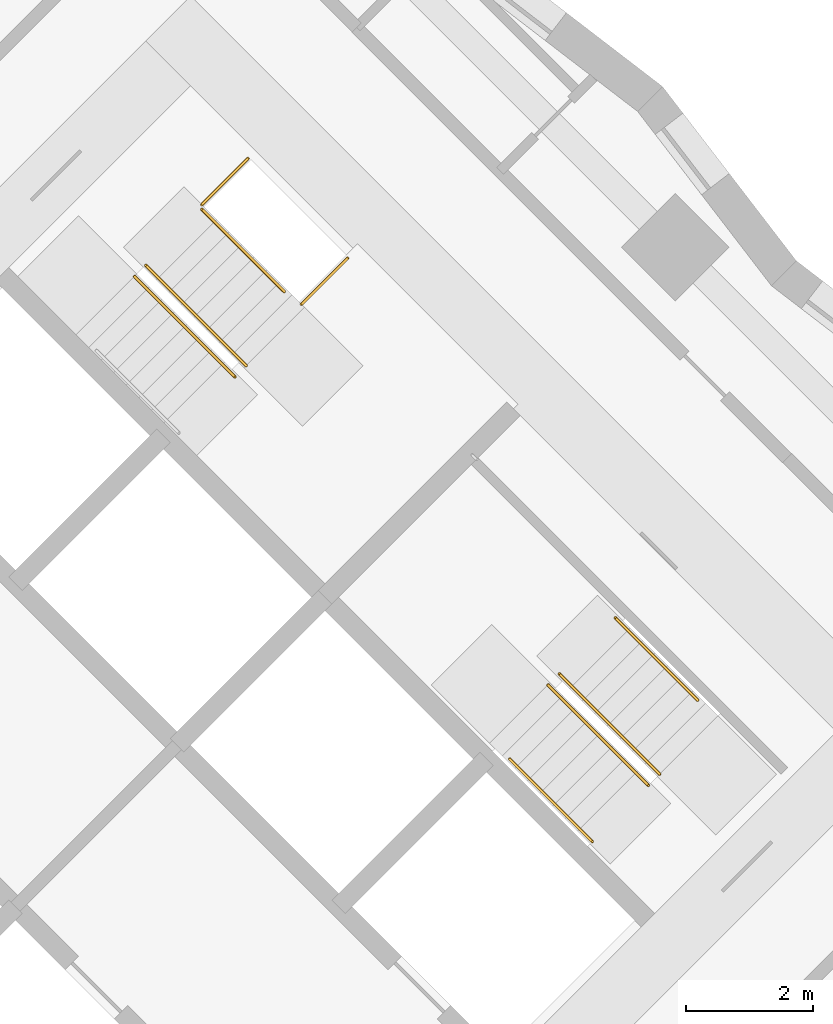
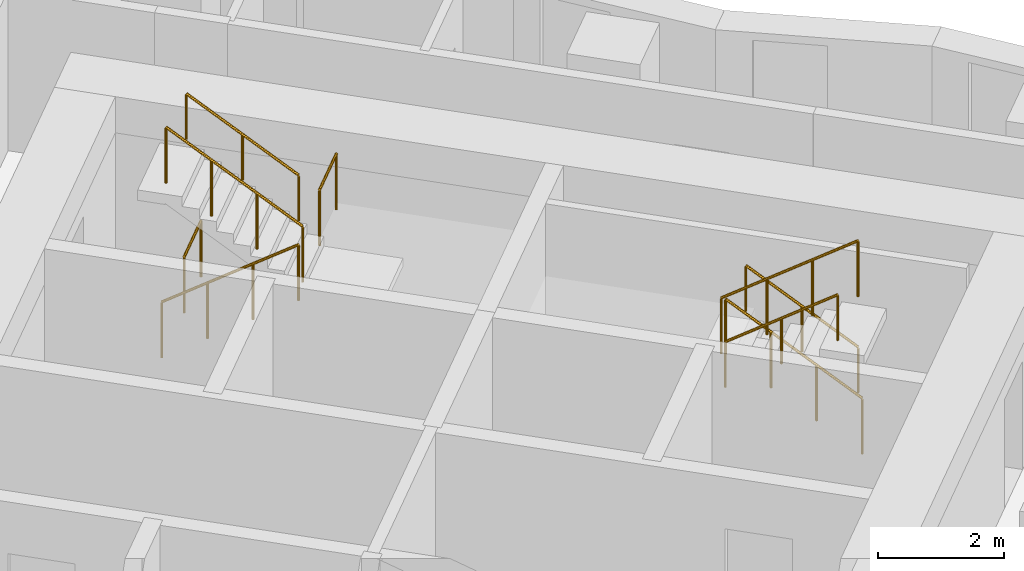
# One storey, part 14 of 14: 9 railings.
"""IFC4 building model written with IfcOpenShell, lengths in metres."""

from ifc_helpers import new_model, si_unit, direction, frame, origin, origin_2d, place, context, subcontext, project, spatial, circle, extrude, material, type_object, element, save


model = new_model("IFC4")

# Units and contexts
model_context = context("Model", 3, precision=1e-05, world=origin(), true_north=direction((0.0, 1.0)))
body_context = subcontext(model_context, "Body", "Model", "MODEL_VIEW")
ifc_project = project(units=[si_unit("LENGTHUNIT", "METRE"), si_unit("AREAUNIT", "SQUARE_METRE"), si_unit("VOLUMEUNIT", "CUBIC_METRE"), si_unit("PLANEANGLEUNIT", "RADIAN"), si_unit("MASSUNIT", "GRAM", prefix="KILO")], contexts=[model_context])

# Site, building, storey
site_placement = place(None, origin())
site = spatial("IfcSite", under=ifc_project, at=site_placement, CompositionType="ELEMENT")
building_placement = place(site_placement, origin())
building = spatial("IfcBuilding", under=site, at=building_placement, Name="Windrow Commons", CompositionType="ELEMENT")
storey_placement = place(building_placement, frame((0.0, 0.0, 44.0)))
storey = spatial("IfcBuildingStorey", under=building, at=storey_placement, Name="L11", CompositionType="ELEMENT", Elevation=44.0)

# Railings
ifc_material_1 = material(Name="Steel S355", Category="steel")
railing_type_1 = type_object("IfcRailingType", Name="Core stair guard 1100", PredefinedType="GUARDRAIL", material=ifc_material_1)
railing_1_placement = place(storey_placement, frame((85.9529, 56.2669, 0.1889)))
element("IfcRailing", 1, at=railing_1_placement, inside=storey, type_object=railing_type_1, Name="L11 ST-B1 stair guard 1", PredefinedType="GUARDRAIL", context=body_context, shape_type="SweptSolid", body=[
    extrude(circle(Radius=0.024, at=origin_2d()), frame((0.0, 0.0, 1.076), z_axis=(0.5861914914, -0.5861914914, 0.5592486664), x_axis=(0.7071067812, 0.7071067812, 0.0)), (0.0, 0.0, 1.0), 2.702),
    extrude(circle(Radius=0.021, at=origin_2d()), origin(), (0.0, 0.0, 1.0), 1.052),
    extrude(circle(Radius=0.021, at=origin_2d()), frame((0.528, -0.528, 0.5037)), (0.0, 0.0, 1.0), 1.052),
    extrude(circle(Radius=0.021, at=origin_2d()), frame((1.0559, -1.0559, 1.0074)), (0.0, 0.0, 1.0), 1.052),
    extrude(circle(Radius=0.021, at=origin_2d()), frame((1.5839, -1.5839, 1.5111)), (0.0, 0.0, 1.0), 1.052),
])
railing_2_placement = place(storey_placement, frame((87.7136, 54.8597, 1.8889)))
element("IfcRailing", 2, at=railing_2_placement, inside=storey, type_object=railing_type_1, Name="L11 ST-B1 stair guard 2", PredefinedType="GUARDRAIL", context=body_context, shape_type="SweptSolid", body=[
    extrude(circle(Radius=0.024, at=origin_2d()), frame((0.0, 0.0, 1.076), z_axis=(-0.5862030657, 0.5862030657, 0.5592244018), x_axis=(-0.7071067812, -0.7071067812, 0.0)), (0.0, 0.0, 1.0), 2.7021),
    extrude(circle(Radius=0.021, at=origin_2d()), origin(), (0.0, 0.0, 1.0), 1.052),
    extrude(circle(Radius=0.021, at=origin_2d()), frame((-0.528, 0.528, 0.5037)), (0.0, 0.0, 1.0), 1.052),
    extrude(circle(Radius=0.021, at=origin_2d()), frame((-1.056, 1.056, 1.0074)), (0.0, 0.0, 1.0), 1.052),
    extrude(circle(Radius=0.021, at=origin_2d()), frame((-1.584, 1.584, 1.5111)), (0.0, 0.0, 1.0), 1.052),
])
railing_3_placement = place(storey_placement, frame((87.0135, 57.3982, 0.0)))
element("IfcRailing", 3, at=railing_3_placement, inside=storey, type_object=railing_type_1, Name="L11 ST-B1 stair guard 3", PredefinedType="GUARDRAIL", context=body_context, shape_type="SweptSolid", body=[
    extrude(circle(Radius=0.024, at=origin_2d()), frame((0.0, 0.0, 1.076), z_axis=(0.7070582378, 0.7071553212, 0.0), x_axis=(-0.7071553212, 0.7070582378, 0.0)), (0.0, 0.0, 1.0), 1.03),
    extrude(circle(Radius=0.021, at=origin_2d()), origin(), (0.0, 0.0, 1.0), 1.052),
    extrude(circle(Radius=0.021, at=origin_2d()), frame((0.7283, 0.7284, 0.0)), (0.0, 0.0, 1.0), 1.052),
])
railing_4_placement = place(storey_placement, frame((88.5833, 55.8285, 1.7)))
element("IfcRailing", 4, at=railing_4_placement, inside=storey, type_object=railing_type_1, Name="L11 ST-B1 stair guard 4", PredefinedType="GUARDRAIL", context=body_context, shape_type="SweptSolid", body=[
    extrude(circle(Radius=0.024, at=origin_2d()), frame((0.0, 0.0, 1.076), z_axis=(0.7071067812, 0.7071067812, 0.0), x_axis=(-0.7071067812, 0.7071067812, 0.0)), (0.0, 0.0, 1.0), 1.03),
    extrude(circle(Radius=0.021, at=origin_2d()), origin(), (0.0, 0.0, 1.0), 1.052),
    extrude(circle(Radius=0.021, at=origin_2d()), frame((0.7283, 0.7283, 0.0)), (0.0, 0.0, 1.0), 1.052),
])
railing_5_placement = place(storey_placement, frame((94.2296, 48.4215, 0.1889)))
element("IfcRailing", 5, at=railing_5_placement, inside=storey, type_object=railing_type_1, Name="L11 ST-B2 stair guard 1", PredefinedType="GUARDRAIL", context=body_context, shape_type="SweptSolid", body=[
    extrude(circle(Radius=0.024, at=origin_2d()), frame((0.0, 0.0, 1.076), z_axis=(-0.5862157828, 0.5861787742, 0.5592365337), x_axis=(-0.7070844598, -0.7071291018, 0.0)), (0.0, 0.0, 1.0), 2.7021),
    extrude(circle(Radius=0.021, at=origin_2d()), origin(), (0.0, 0.0, 1.0), 1.052),
    extrude(circle(Radius=0.021, at=origin_2d()), frame((-0.528, 0.528, 0.5037)), (0.0, 0.0, 1.0), 1.052),
    extrude(circle(Radius=0.021, at=origin_2d()), frame((-1.056, 1.0559, 1.0074)), (0.0, 0.0, 1.0), 1.052),
    extrude(circle(Radius=0.021, at=origin_2d()), frame((-1.584, 1.5839, 1.5111)), (0.0, 0.0, 1.0), 1.052),
])
railing_6_placement = place(storey_placement, frame((92.4689, 49.8287, 1.8889)))
element("IfcRailing", 6, at=railing_6_placement, inside=storey, type_object=railing_type_1, Name="L11 ST-B2 stair guard 2", PredefinedType="GUARDRAIL", context=body_context, shape_type="SweptSolid", body=[
    extrude(circle(Radius=0.024, at=origin_2d()), frame((0.0, 0.0, 1.076), z_axis=(0.5861787742, -0.5862157828, 0.5592365337), x_axis=(0.7071291018, 0.7070844598, 0.0)), (0.0, 0.0, 1.0), 2.7021),
    extrude(circle(Radius=0.021, at=origin_2d()), origin(), (0.0, 0.0, 1.0), 1.052),
    extrude(circle(Radius=0.021, at=origin_2d()), frame((0.528, -0.528, 0.5037)), (0.0, 0.0, 1.0), 1.052),
    extrude(circle(Radius=0.021, at=origin_2d()), frame((1.0559, -1.056, 1.0074)), (0.0, 0.0, 1.0), 1.052),
    extrude(circle(Radius=0.021, at=origin_2d()), frame((1.5839, -1.584, 1.5111)), (0.0, 0.0, 1.0), 1.052),
])
ifc_material_2 = material(Name="Steel S355", Category="steel")
railing_type_2 = type_object("IfcRailingType", Name="Core stair handrail 900", PredefinedType="HANDRAIL", material=ifc_material_2)
railing_7_placement = place(storey_placement, frame((88.3146, 56.0265, 2.1587)))
element("IfcRailing", 7, at=railing_7_placement, inside=storey, type_object=railing_type_2, Name="L11 ST-B1 stair handrail 2", PredefinedType="HANDRAIL", context=body_context, shape_type="SweptSolid", body=[
    extrude(circle(Radius=0.024, at=origin_2d()), frame((0.0, 0.0, 0.876), z_axis=(-0.586206706, 0.5861616513, 0.5592639952), x_axis=(-0.7070796062, -0.7071339551, 0.0)), (0.0, 0.0, 1.0), 2.2195),
    extrude(circle(Radius=0.021, at=origin_2d()), origin(), (0.0, 0.0, 1.0), 0.852),
    extrude(circle(Radius=0.021, at=origin_2d()), frame((-0.6506, 0.6505, 0.6206)), (0.0, 0.0, 1.0), 0.852),
    extrude(circle(Radius=0.021, at=origin_2d()), frame((-1.3011, 1.301, 1.2413)), (0.0, 0.0, 1.0), 0.852),
])
railing_8_placement = place(storey_placement, frame((94.8306, 49.5883, 0.4587)))
element("IfcRailing", 8, at=railing_8_placement, inside=storey, type_object=railing_type_2, Name="L11 ST-B2 stair handrail 1", PredefinedType="HANDRAIL", context=body_context, shape_type="SweptSolid", body=[
    extrude(circle(Radius=0.024, at=origin_2d()), frame((0.0, 0.0, 0.876), z_axis=(-0.586206706, 0.5861616513, 0.5592639952), x_axis=(-0.7070796062, -0.7071339551, 0.0)), (0.0, 0.0, 1.0), 2.2195),
    extrude(circle(Radius=0.021, at=origin_2d()), origin(), (0.0, 0.0, 1.0), 0.852),
    extrude(circle(Radius=0.021, at=origin_2d()), frame((-0.6506, 0.6505, 0.6207)), (0.0, 0.0, 1.0), 0.852),
    extrude(circle(Radius=0.021, at=origin_2d()), frame((-1.3011, 1.301, 1.2413)), (0.0, 0.0, 1.0), 0.852),
])
railing_9_placement = place(storey_placement, frame((91.8678, 48.6619, 2.1587)))
element("IfcRailing", 9, at=railing_9_placement, inside=storey, type_object=railing_type_2, Name="L11 ST-B2 stair handrail 2", PredefinedType="HANDRAIL", context=body_context, shape_type="SweptSolid", body=[
    extrude(circle(Radius=0.024, at=origin_2d()), frame((0.0, 0.0, 0.876), z_axis=(0.586206706, -0.5861616513, 0.5592639952), x_axis=(0.7070796062, 0.7071339551, 0.0)), (0.0, 0.0, 1.0), 2.2195),
    extrude(circle(Radius=0.021, at=origin_2d()), origin(), (0.0, 0.0, 1.0), 0.852),
    extrude(circle(Radius=0.021, at=origin_2d()), frame((0.6505, -0.6505, 0.6206)), (0.0, 0.0, 1.0), 0.852),
    extrude(circle(Radius=0.021, at=origin_2d()), frame((1.3011, -1.301, 1.2413)), (0.0, 0.0, 1.0), 0.852),
])

save(model, "model.ifc")
